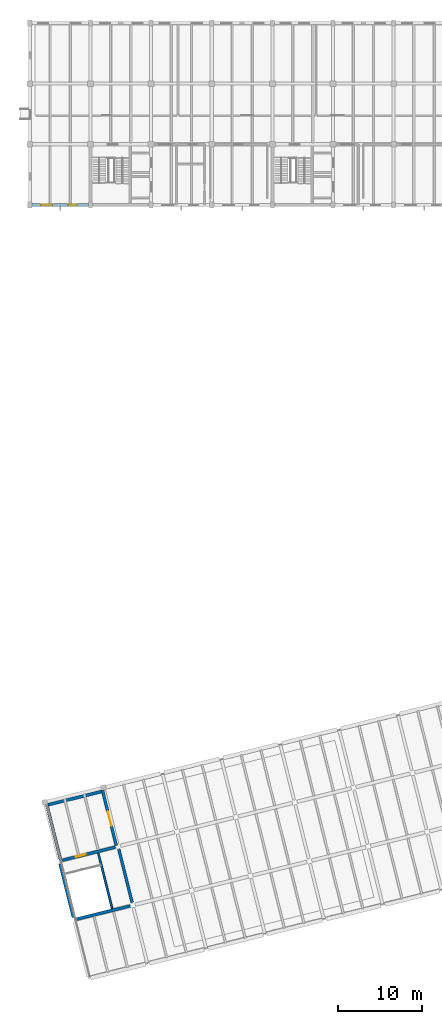
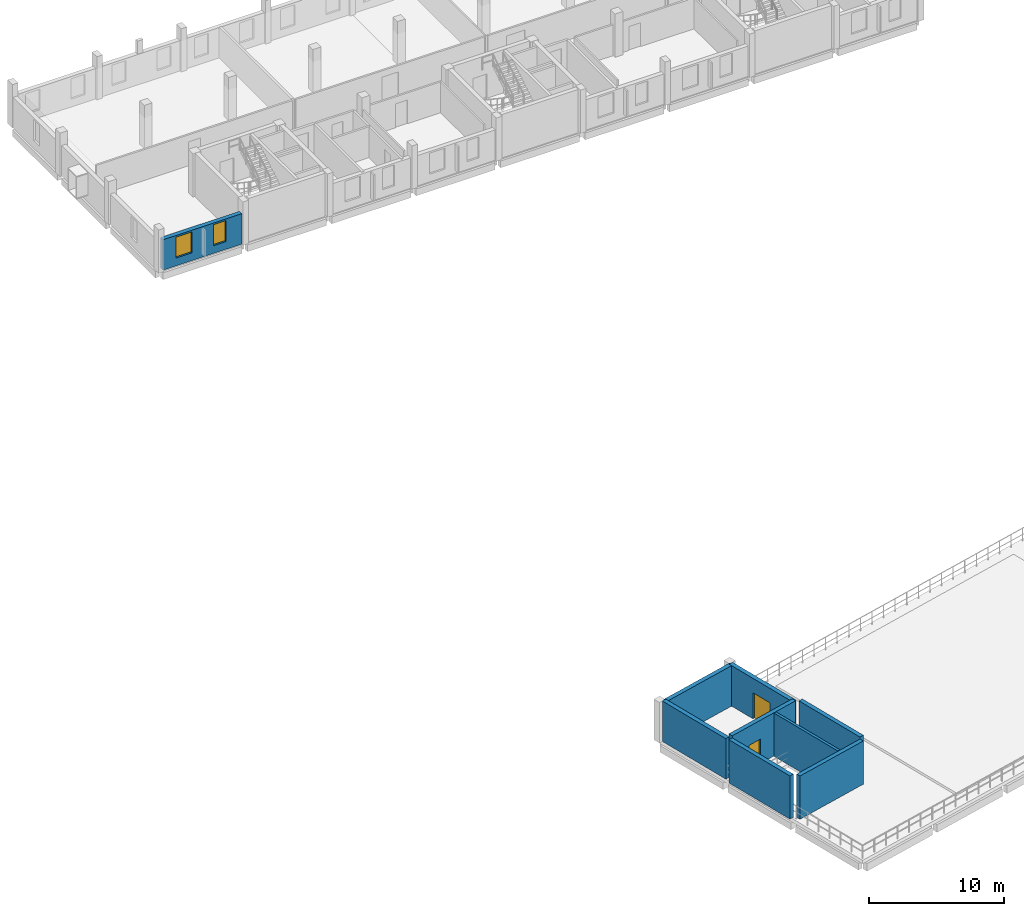
# One storey, part 5 of 11: 9 walls, 2 doors, 2 windows, 4 openings.
"""IFC4 building model written with IfcOpenShell, lengths in metres."""

from ifc_helpers import new_model, si_unit, direction, frame, frame_2d, origin, place, context, subcontext, project, spatial, rectangle, extrude, material, layer, layer_set, type_object, element, fill, save


model = new_model("IFC4")

# Units and contexts
model_context = context("Model", 3, precision=1e-05, world=origin(), true_north=direction((0.0, 1.0)))
body_context = subcontext(model_context, "Body", "Model", "MODEL_VIEW")
ifc_project = project(units=[si_unit("LENGTHUNIT", "METRE"), si_unit("AREAUNIT", "SQUARE_METRE"), si_unit("VOLUMEUNIT", "CUBIC_METRE"), si_unit("PLANEANGLEUNIT", "RADIAN"), si_unit("MASSUNIT", "GRAM", prefix="KILO")], contexts=[model_context])

# Site, building, storey
site_placement = place(None, origin())
site = spatial("IfcSite", under=ifc_project, at=site_placement, CompositionType="ELEMENT")
building_placement = place(site_placement, origin())
building = spatial("IfcBuilding", under=site, at=building_placement, Name="Qiaolan Assembly House", CompositionType="ELEMENT")
storey_placement = place(building_placement, frame((0.0, 0.0, 26.39990234375)))
storey = spatial("IfcBuildingStorey", under=building, at=storey_placement, Name="L06", CompositionType="ELEMENT", Elevation=26.39990234375)

# Walls
ifc_material_1 = material(Name="Concrete C40/50", Category="concrete")
ifc_layer_1 = layer(ifc_material_1, 0.35009765625)
ifc_layer_set_1 = layer_set([ifc_layer_1], Name="Concrete C40/50")
wall_type_1 = type_object("IfcWallType", Name="WAL-CORE-350", PredefinedType="SHEAR", material=ifc_layer_set_1)
for number, where, z_axis, x_axis, name in (
    (1, (41.583984375, 8.812744140625, 0.0), (0.0, 0.0, 1.0), (0.970294759049, 0.241925774902, 0.0), "CW-350 shear core wall CORE-C S L06"),
    (2, (48.145751953125, 10.809326171875, 0.0), (0.0, 0.0, 1.0), (-0.241925774902, 0.970294759049, 0.0), "CW-350 shear core wall CORE-C E L06"),
):
    element("IfcWall", number, at=place(storey_placement, frame(where, z_axis=z_axis, x_axis=x_axis)), inside=storey, type_object=wall_type_1, Name=name, PredefinedType="SHEAR", context=body_context, shape_type="SweptSolid", body=[
        extrude(rectangle(XDim=6.5, YDim=0.35009765625, at=frame_2d((3.25, 0.0))), origin(), (0.0, 0.0, 1.0), 3.900146484375),
    ])

# Wall, opening, door
wall_1_placement = place(storey_placement, frame((46.14892578125, 17.371337890625, 0.0), z_axis=(0.0, 0.0, 1.0), x_axis=(-0.970294759049, -0.241925774902, 0.0)))
wall_1 = element("IfcWall", 3, at=wall_1_placement, inside=storey, type_object=wall_type_1, Name="CW-350 shear core wall CORE-C N L06", PredefinedType="SHEAR", context=body_context, shape_type="SweptSolid", body=[
    extrude(rectangle(XDim=6.5, YDim=0.35009765625, at=frame_2d((3.25, 0.0))), origin(), (0.0, 0.0, 1.0), 3.900146484375),
])
opening_1_placement = place(wall_1_placement, frame((3.60009765625, 0.0, 0.0)))
opening_1 = element("IfcOpeningElement", 4, at=opening_1_placement, cuts=wall_1, Name="Opening FD-806", PredefinedType="OPENING", context=body_context, shape_type="SweptSolid", body=[
    extrude(rectangle(XDim=1.199951171875, YDim=2.199951171875, at=frame_2d((0.60009765625, 1.10009765625))), frame((0.0, 0.18505859375, 0.0), z_axis=(0.0, -1.0, 0.0), x_axis=(1.0, 0.0, 0.0)), (0.0, 0.0, 1.0), 0.3701171875),
])
ifc_material_2 = material(Name="Steel Q355B", Category="steel")
door_type_1 = type_object("IfcDoorType", Name="DOR-FIRE-FD90-1200", OperationType="NOTDEFINED", PredefinedType="DOOR", material=ifc_material_2)
door_1_placement = place(opening_1_placement, origin())
door_1 = element("IfcDoor", 5, at=door_1_placement, inside=storey, type_object=door_type_1, Name="Stairwell fire door FD-806 (CORE-C L06)", OperationType="SINGLE_SWING_LEFT", OverallHeight=2.199951171875, OverallWidth=1.199951171875, PredefinedType="DOOR", context=body_context, shape_type="SweptSolid", body=[
    extrude(rectangle(XDim=1.199951171875, YDim=2.199951171875, at=frame_2d((0.60009765625, 1.10009765625))), frame((0.0, 0.02490234375, 0.0), z_axis=(0.0, -1.0, 0.0), x_axis=(1.0, 0.0, 0.0)), (0.0, 0.0, 1.0), 0.050048828125),
])
fill(opening_1, door_1)

# Wall
wall_2_placement = place(storey_placement, frame((39.587158203125, 15.37451171875, 0.0), z_axis=(0.0, 0.0, 1.0), x_axis=(0.241925774902, -0.970294759049, 0.0)))
element("IfcWall", 6, at=wall_2_placement, inside=storey, type_object=wall_type_1, Name="CW-350 shear core wall CORE-C W L06", PredefinedType="SHEAR", context=body_context, shape_type="SweptSolid", body=[
    extrude(rectangle(XDim=6.5, YDim=0.35009765625, at=frame_2d((3.25, 0.0))), origin(), (0.0, 0.0, 1.0), 3.900146484375),
])

# Wall, openings, windows
ifc_material_3 = material(Name="Honed pale limestone", Category="masonry")
ifc_layer_2 = layer(ifc_material_3, 0.360107421875)
ifc_layer_set_2 = layer_set([ifc_layer_2], Name="Honed pale limestone")
wall_type_2 = type_object("IfcWallType", Name="WAL-EXT-LIMESTONE-360", PredefinedType="SOLIDWALL", material=ifc_layer_set_2)
wall_3_placement = place(storey_placement, frame((36.238037109375, 93.60009765625, 0.0), z_axis=(0.0, 0.0, 1.0), x_axis=(1.0, 0.0, 0.0)))
wall_3 = element("IfcWall", 7, at=wall_3_placement, inside=storey, type_object=wall_type_2, Name="EW-360 NW South court wall L06 bay 1", PredefinedType="SOLIDWALL", context=body_context, shape_type="SweptSolid", body=[
    extrude(rectangle(XDim=6.723876953125, YDim=0.360107421875, at=frame_2d((3.36181640625, 0.0))), origin(), (0.0, 0.0, 1.0), 2.739990234375),
])
opening_2_placement = place(wall_3_placement, frame((1.112060546875, 0.0, 0.699951171875)))
opening_2 = element("IfcOpeningElement", 8, at=opening_2_placement, cuts=wall_3, Name="Opening WN-206", PredefinedType="OPENING", context=body_context, shape_type="SweptSolid", body=[
    extrude(rectangle(XDim=1.35009765625, YDim=1.889892578125, at=frame_2d((0.675048828125, 0.94482421875))), frame((0.0, 0.18994140625, 0.0), z_axis=(0.0, -1.0, 0.0), x_axis=(1.0, 0.0, 0.0)), (0.0, 0.0, 1.0), 0.380126953125),
])
opening_3_placement = place(wall_3_placement, frame((4.31201171875, 0.0, 0.699951171875)))
opening_3 = element("IfcOpeningElement", 9, at=opening_3_placement, cuts=wall_3, Name="Opening WN-207", PredefinedType="OPENING", context=body_context, shape_type="SweptSolid", body=[
    extrude(rectangle(XDim=1.050048828125, YDim=1.889892578125, at=frame_2d((0.52490234375, 0.94482421875))), frame((0.0, 0.18994140625, 0.0), z_axis=(0.0, -1.0, 0.0), x_axis=(1.0, 0.0, 0.0)), (0.0, 0.0, 1.0), 0.380126953125),
])
ifc_material_4 = material(Name="Low-E double insulating glass", Category="glass")
window_type_1 = type_object("IfcWindowType", Name="WIN-COURT-1350x2150", PartitioningType="DOUBLE_PANEL_VERTICAL", PredefinedType="WINDOW", material=ifc_material_4)
window_1_placement = place(opening_2_placement, origin())
window_1 = element("IfcWindow", 10, at=window_1_placement, inside=storey, type_object=window_type_1, Name="WN-T12 court window WN-206", OverallHeight=1.889892578125, OverallWidth=1.35009765625, PartitioningType="DOUBLE_PANEL_VERTICAL", PredefinedType="WINDOW", context=body_context, shape_type="SweptSolid", body=[
    extrude(rectangle(XDim=1.35009765625, YDim=1.889892578125, at=frame_2d((0.675048828125, 0.94482421875))), frame((0.0, 0.030029296875, 0.0), z_axis=(0.0, -1.0, 0.0), x_axis=(1.0, 0.0, 0.0)), (0.0, 0.0, 1.0), 0.06005859375),
])
fill(opening_2, window_1)
window_type_2 = type_object("IfcWindowType", Name="WIN-PUNCH-1050x2150", PartitioningType="SINGLE_PANEL", PredefinedType="WINDOW", material=ifc_material_4)
window_2_placement = place(opening_3_placement, origin())
window_2 = element("IfcWindow", 11, at=window_2_placement, inside=storey, type_object=window_type_2, Name="WN-T13 court window WN-207", OverallHeight=1.889892578125, OverallWidth=1.050048828125, PartitioningType="SINGLE_PANEL", PredefinedType="WINDOW", context=body_context, shape_type="SweptSolid", body=[
    extrude(rectangle(XDim=1.050048828125, YDim=1.889892578125, at=frame_2d((0.52490234375, 0.94482421875))), frame((0.0, 0.030029296875, 0.0), z_axis=(0.0, -1.0, 0.0), x_axis=(1.0, 0.0, 0.0)), (0.0, 0.0, 1.0), 0.06005859375),
])
fill(opening_3, window_2)

# Walls
wall_4_placement = place(storey_placement, frame((38.00732421875, 22.45458984375, 0.0), z_axis=(0.0, 0.0, 1.0), x_axis=(0.241931530842, -0.970293323889, 0.0)))
element("IfcWall", 12, at=wall_4_placement, inside=storey, type_object=wall_type_2, Name="EW-360 L06 Roof Pavilion west wall", PredefinedType="SOLIDWALL", context=body_context, shape_type="SweptSolid", body=[
    extrude(rectangle(XDim=6.752197265625, YDim=0.360107421875, at=frame_2d((3.3759765625, 0.0))), origin(), (0.0, 0.0, 1.0), 3.650146484375),
])
wall_5_placement = place(storey_placement, frame((44.6689453125, 24.010498046875, 0.0), z_axis=(0.0, 0.0, 1.0), x_axis=(-0.970295573434, -0.241922508616, 0.0)))
element("IfcWall", 13, at=wall_5_placement, inside=storey, type_object=wall_type_2, Name="EW-360 L06 Roof Pavilion north wall", PredefinedType="SOLIDWALL", context=body_context, shape_type="SweptSolid", body=[
    extrude(rectangle(XDim=6.840087890625, YDim=0.360107421875, at=frame_2d((3.419921875, 0.0))), origin(), (0.0, 0.0, 1.0), 3.650146484375),
])

# Wall, opening, door
wall_6_placement = place(storey_placement, frame((46.277587890625, 17.557861328125, 0.0), z_axis=(0.0, 0.0, 1.0), x_axis=(-0.241897488986, 0.970301811202, 0.0)))
wall_6 = element("IfcWall", 14, at=wall_6_placement, inside=storey, type_object=wall_type_2, Name="EW-360 L06 Roof Pavilion east wall", PredefinedType="SOLIDWALL", context=body_context, shape_type="SweptSolid", body=[
    extrude(rectangle(XDim=6.751953125, YDim=0.360107421875, at=frame_2d((3.3759765625, 0.0))), origin(), (0.0, 0.0, 1.0), 3.650146484375),
])
opening_4_placement = place(wall_6_placement, frame((2.39990234375, 0.0, 0.0)))
opening_4 = element("IfcOpeningElement", 15, at=opening_4_placement, cuts=wall_6, Name="Opening RD-033", PredefinedType="OPENING", context=body_context, shape_type="SweptSolid", body=[
    extrude(rectangle(XDim=1.800048828125, YDim=2.35009765625, at=frame_2d((0.89990234375, 1.175048828125))), frame((0.0, 0.18994140625, 0.0), z_axis=(0.0, -1.0, 0.0), x_axis=(1.0, 0.0, 0.0)), (0.0, 0.0, 1.0), 0.380126953125),
])
ifc_material_5 = material(Name="Anodised bronze aluminium", Category="aluminium")
door_type_2 = type_object("IfcDoorType", Name="DOR-TERR-GLZ-1800", OperationType="DOUBLE_DOOR_SINGLE_SWING", PredefinedType="DOOR", material=ifc_material_5)
door_2_placement = place(opening_4_placement, frame((1.800048828125, 0.0, 0.0), z_axis=(0.0, 0.0, 1.0), x_axis=(-1.0, 0.0, 0.0)))
door_2 = element("IfcDoor", 16, at=door_2_placement, inside=storey, type_object=door_type_2, Name="L06 Roof Garden terrace access door RD-033", OperationType="DOUBLE_DOOR_SINGLE_SWING", OverallHeight=2.35009765625, OverallWidth=1.800048828125, PredefinedType="DOOR", context=body_context, shape_type="SweptSolid", body=[
    extrude(rectangle(XDim=1.800048828125, YDim=2.35009765625, at=frame_2d((0.89990234375, 1.175048828125))), frame((0.0, 0.02490234375, 0.0), z_axis=(0.0, -1.0, 0.0), x_axis=(1.0, 0.0, 0.0)), (0.0, 0.0, 1.0), 0.050048828125),
])
fill(opening_4, door_2)

# Wall
ifc_layer_3 = layer(ifc_material_1, 0.22509765625)
ifc_layer_set_3 = layer_set([ifc_layer_3], Name="Concrete C40/50")
wall_type_3 = type_object("IfcWallType", Name="WAL-STAIR-DIV-225", PredefinedType="SHEAR", material=ifc_layer_set_3)
wall_7_placement = place(storey_placement, frame((45.770751953125, 10.083251953125, 0.0), z_axis=(0.0, 0.0, 1.0), x_axis=(-0.241898249226, 0.970301621673, 0.0)))
element("IfcWall", 17, at=wall_7_placement, inside=storey, type_object=wall_type_3, Name="SDW-225 stairwell structural spine wall CORE-C L06", PredefinedType="SHEAR", context=body_context, shape_type="SweptSolid", body=[
    extrude(rectangle(XDim=6.760009765625, YDim=0.22509765625, at=frame_2d((3.3798828125, 0.0))), origin(), (0.0, 0.0, 1.0), 3.900146484375),
])

save(model, "model.ifc")
